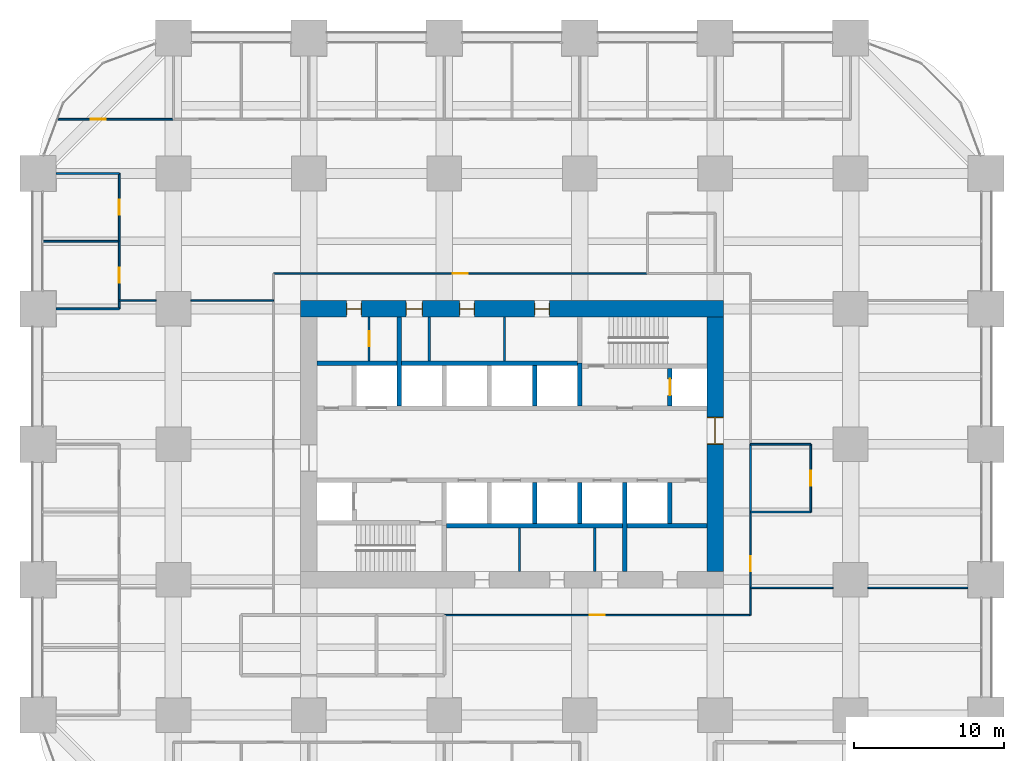
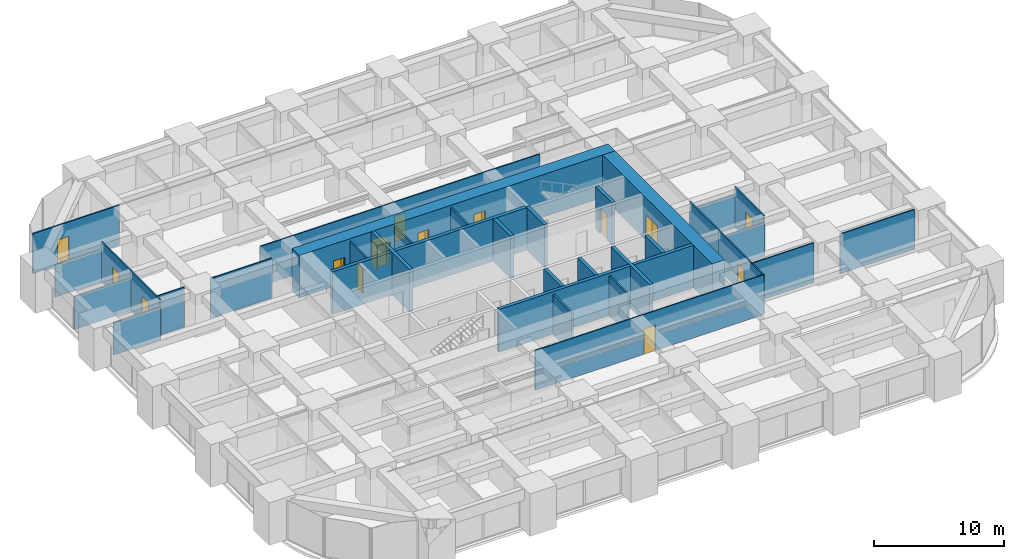
# One storey, part 41 of 44: 34 walls, 14 doors, 14 openings.
"""IFC4 building model written with IfcOpenShell, lengths in metres."""

from ifc_helpers import new_model, si_unit, direction, frame, frame_2d, origin, place, context, subcontext, project, spatial, rectangle, extrude, material, layer, layer_set, type_object, element, fill, save


model = new_model("IFC4")

# Units and contexts
model_context = context("Model", 3, precision=1e-05, world=origin(), true_north=direction((0.0, 1.0)))
body_context = subcontext(model_context, "Body", "Model", "MODEL_VIEW")
ifc_project = project(units=[si_unit("LENGTHUNIT", "METRE"), si_unit("AREAUNIT", "SQUARE_METRE"), si_unit("VOLUMEUNIT", "CUBIC_METRE"), si_unit("PLANEANGLEUNIT", "RADIAN"), si_unit("MASSUNIT", "GRAM", prefix="KILO")], contexts=[model_context])

# Site, building, storey
site_placement = place(None, origin())
site = spatial("IfcSite", under=ifc_project, at=site_placement, CompositionType="ELEMENT")
building_placement = place(site_placement, origin())
building = spatial("IfcBuilding", under=site, at=building_placement, Name="Zorevar Civic Tower", CompositionType="ELEMENT")
storey_placement = place(building_placement, frame((0.0, 0.0, 35.800048828125)))
storey = spatial("IfcBuildingStorey", under=building, at=storey_placement, Name="L08", CompositionType="ELEMENT", Elevation=35.800048828125)

# Wall, openings, doors
ifc_material_1 = material(Name="Concrete C50/60", Category="concrete")
ifc_layer_1 = layer(ifc_material_1, 1.10009765625)
ifc_layer_set_1 = layer_set([ifc_layer_1], Name="Core wall 1100")
wall_type_1 = type_object("IfcWallType", Name="Core wall 1100", PredefinedType="SHEAR", material=ifc_layer_set_1)
wall_1_placement = place(storey_placement, frame((45.550048828125, 36.0, 0.0), z_axis=(0.0, 0.0, 1.0), x_axis=(-1.0, 0.0, 0.0)))
wall_1 = element("IfcWall", 1, at=wall_1_placement, inside=storey, type_object=wall_type_1, Name="Core wall N L08", PredefinedType="SHEAR", context=body_context, shape_type="SweptSolid", body=[
    extrude(rectangle(XDim=28.10009765625, YDim=1.10009765625, at=frame_2d((14.050048828125, 0.0))), origin(), (0.0, 0.0, 1.0), 4.0),
])
opening_1_placement = place(wall_1_placement, frame((11.550048828125, 0.0, 0.0)))
opening_1 = element("IfcOpeningElement", 2, at=opening_1_placement, cuts=wall_1, Name="Opening L08.07", PredefinedType="OPENING", context=body_context, shape_type="SweptSolid", body=[
    extrude(rectangle(XDim=1.0, YDim=2.39990234375, at=frame_2d((0.5, 1.199951171875))), frame((0.0, 0.56005859375, 0.0), z_axis=(0.0, -1.0, 0.0), x_axis=(1.0, 0.0, 0.0)), (0.0, 0.0, 1.0), 1.1201171875),
])
opening_2_placement = place(wall_1_placement, frame((16.550048828125, 0.0, 0.0)))
opening_2 = element("IfcOpeningElement", 3, at=opening_2_placement, cuts=wall_1, Name="Opening L08.08", PredefinedType="OPENING", context=body_context, shape_type="SweptSolid", body=[
    extrude(rectangle(XDim=1.0, YDim=2.39990234375, at=frame_2d((0.5, 1.199951171875))), frame((0.0, 0.56005859375, 0.0), z_axis=(0.0, -1.0, 0.0), x_axis=(1.0, 0.0, 0.0)), (0.0, 0.0, 1.0), 1.1201171875),
])
opening_3_placement = place(wall_1_placement, frame((20.0, 0.0, 0.0)))
opening_3 = element("IfcOpeningElement", 4, at=opening_3_placement, cuts=wall_1, Name="Opening L08.09", PredefinedType="OPENING", context=body_context, shape_type="SweptSolid", body=[
    extrude(rectangle(XDim=1.10009765625, YDim=2.39990234375, at=frame_2d((0.550048828125, 1.199951171875))), frame((0.0, 0.56005859375, 0.0), z_axis=(0.0, -1.0, 0.0), x_axis=(1.0, 0.0, 0.0)), (0.0, 0.0, 1.0), 1.1201171875),
])
opening_4_placement = place(wall_1_placement, frame((24.050048828125, 0.0, 0.0)))
opening_4 = element("IfcOpeningElement", 5, at=opening_4_placement, cuts=wall_1, Name="Opening L08.10", PredefinedType="OPENING", context=body_context, shape_type="SweptSolid", body=[
    extrude(rectangle(XDim=1.0, YDim=2.39990234375, at=frame_2d((0.5, 1.199951171875))), frame((0.0, 0.56005859375, 0.0), z_axis=(0.0, -1.0, 0.0), x_axis=(1.0, 0.0, 0.0)), (0.0, 0.0, 1.0), 1.1201171875),
])
ifc_material_2 = material(Name="Timber door set", Category="wood")
door_type_1 = type_object("IfcDoorType", Name="Door D1 1000x2400", OperationType="SINGLE_SWING_LEFT", PredefinedType="DOOR", material=ifc_material_2)
door_1_placement = place(opening_1_placement, origin())
door_1 = element("IfcDoor", 6, at=door_1_placement, inside=storey, type_object=door_type_1, Name="Door L08 06", OperationType="SINGLE_SWING_RIGHT", OverallHeight=2.39990234375, OverallWidth=1.0, PredefinedType="DOOR", context=body_context, shape_type="SweptSolid", body=[
    extrude(rectangle(XDim=1.0, YDim=2.39990234375, at=frame_2d((0.5, 1.199951171875))), frame((0.0, 0.02490234375, 0.0), z_axis=(0.0, -1.0, 0.0), x_axis=(1.0, 0.0, 0.0)), (0.0, 0.0, 1.0), 0.050048828125),
    extrude(rectangle(XDim=0.04, YDim=2.39990234375, at=frame_2d((0.02001953125, 1.199951171875))), frame((0.0, 0.39990234375, 0.0), z_axis=(0.0, -1.0, 0.0), x_axis=(1.0, 0.0, 0.0)), (0.0, 0.0, 1.0), 0.800048828125),
    extrude(rectangle(XDim=0.04, YDim=2.39990234375, at=frame_2d((0.97998046875, 1.199951171875))), frame((0.0, 0.39990234375, 0.0), z_axis=(0.0, -1.0, 0.0), x_axis=(1.0, 0.0, 0.0)), (0.0, 0.0, 1.0), 0.800048828125),
    extrude(rectangle(XDim=1.0, YDim=0.04, at=frame_2d((0.5, 2.3798828125))), frame((0.0, 0.39990234375, 0.0), z_axis=(0.0, -1.0, 0.0), x_axis=(1.0, 0.0, 0.0)), (0.0, 0.0, 1.0), 0.800048828125),
])
fill(opening_1, door_1)
door_2_placement = place(opening_2_placement, origin())
door_2 = element("IfcDoor", 7, at=door_2_placement, inside=storey, type_object=door_type_1, Name="Door L08 07", OperationType="SINGLE_SWING_LEFT", OverallHeight=2.39990234375, OverallWidth=1.0, PredefinedType="DOOR", context=body_context, shape_type="SweptSolid", body=[
    extrude(rectangle(XDim=1.0, YDim=2.39990234375, at=frame_2d((0.5, 1.199951171875))), frame((0.0, 0.02490234375, 0.0), z_axis=(0.0, -1.0, 0.0), x_axis=(1.0, 0.0, 0.0)), (0.0, 0.0, 1.0), 0.050048828125),
    extrude(rectangle(XDim=0.04, YDim=2.39990234375, at=frame_2d((0.02001953125, 1.199951171875))), frame((0.0, 0.39990234375, 0.0), z_axis=(0.0, -1.0, 0.0), x_axis=(1.0, 0.0, 0.0)), (0.0, 0.0, 1.0), 0.800048828125),
    extrude(rectangle(XDim=0.04, YDim=2.39990234375, at=frame_2d((0.97998046875, 1.199951171875))), frame((0.0, 0.39990234375, 0.0), z_axis=(0.0, -1.0, 0.0), x_axis=(1.0, 0.0, 0.0)), (0.0, 0.0, 1.0), 0.800048828125),
    extrude(rectangle(XDim=1.0, YDim=0.04, at=frame_2d((0.5, 2.3798828125))), frame((0.0, 0.39990234375, 0.0), z_axis=(0.0, -1.0, 0.0), x_axis=(1.0, 0.0, 0.0)), (0.0, 0.0, 1.0), 0.800048828125),
])
fill(opening_2, door_2)
door_3_placement = place(opening_4_placement, origin())
door_3 = element("IfcDoor", 8, at=door_3_placement, inside=storey, type_object=door_type_1, Name="Door L08 09", OperationType="SINGLE_SWING_LEFT", OverallHeight=2.39990234375, OverallWidth=1.0, PredefinedType="DOOR", context=body_context, shape_type="SweptSolid", body=[
    extrude(rectangle(XDim=1.0, YDim=2.39990234375, at=frame_2d((0.5, 1.199951171875))), frame((0.0, 0.02490234375, 0.0), z_axis=(0.0, -1.0, 0.0), x_axis=(1.0, 0.0, 0.0)), (0.0, 0.0, 1.0), 0.050048828125),
    extrude(rectangle(XDim=0.04, YDim=2.39990234375, at=frame_2d((0.02001953125, 1.199951171875))), frame((0.0, 0.39990234375, 0.0), z_axis=(0.0, -1.0, 0.0), x_axis=(1.0, 0.0, 0.0)), (0.0, 0.0, 1.0), 0.800048828125),
    extrude(rectangle(XDim=0.04, YDim=2.39990234375, at=frame_2d((0.97998046875, 1.199951171875))), frame((0.0, 0.39990234375, 0.0), z_axis=(0.0, -1.0, 0.0), x_axis=(1.0, 0.0, 0.0)), (0.0, 0.0, 1.0), 0.800048828125),
    extrude(rectangle(XDim=1.0, YDim=0.04, at=frame_2d((0.5, 2.3798828125))), frame((0.0, 0.39990234375, 0.0), z_axis=(0.0, -1.0, 0.0), x_axis=(1.0, 0.0, 0.0)), (0.0, 0.0, 1.0), 0.800048828125),
])
fill(opening_4, door_3)
ifc_material_3 = material(Name="Timber door set", Category="wood")
door_type_2 = type_object("IfcDoorType", Name="Door D5 1100x2400", OperationType="SINGLE_SWING_LEFT", PredefinedType="DOOR", material=ifc_material_3)
door_4_placement = place(opening_3_placement, origin())
door_4 = element("IfcDoor", 9, at=door_4_placement, inside=storey, type_object=door_type_2, Name="Door L08 08", OperationType="SINGLE_SWING_LEFT", OverallHeight=2.39990234375, OverallWidth=1.10009765625, PredefinedType="DOOR", context=body_context, shape_type="SweptSolid", body=[
    extrude(rectangle(XDim=1.10009765625, YDim=2.39990234375, at=frame_2d((0.550048828125, 1.199951171875))), frame((0.0, 0.02490234375, 0.0), z_axis=(0.0, -1.0, 0.0), x_axis=(1.0, 0.0, 0.0)), (0.0, 0.0, 1.0), 0.050048828125),
    extrude(rectangle(XDim=0.04, YDim=2.39990234375, at=frame_2d((0.02001953125, 1.199951171875))), frame((0.0, 0.43994140625, 0.0), z_axis=(0.0, -1.0, 0.0), x_axis=(1.0, 0.0, 0.0)), (0.0, 0.0, 1.0), 0.880126953125),
    extrude(rectangle(XDim=0.04, YDim=2.39990234375, at=frame_2d((1.080078125, 1.199951171875))), frame((0.0, 0.43994140625, 0.0), z_axis=(0.0, -1.0, 0.0), x_axis=(1.0, 0.0, 0.0)), (0.0, 0.0, 1.0), 0.880126953125),
    extrude(rectangle(XDim=1.10009765625, YDim=0.04, at=frame_2d((0.550048828125, 2.3798828125))), frame((0.0, 0.43994140625, 0.0), z_axis=(0.0, -1.0, 0.0), x_axis=(1.0, 0.0, 0.0)), (0.0, 0.0, 1.0), 0.880126953125),
])
fill(opening_3, door_4)

# Wall, opening, door
wall_2_placement = place(storey_placement, frame((45.0, 18.550048828125, 0.0), z_axis=(0.0, 0.0, 1.0), x_axis=(0.0, 1.0, 0.0)))
wall_2 = element("IfcWall", 10, at=wall_2_placement, inside=storey, type_object=wall_type_1, Name="Core wall E L08", PredefinedType="SHEAR", context=body_context, shape_type="SweptSolid", body=[
    extrude(rectangle(XDim=16.89990234375, YDim=1.10009765625, at=frame_2d((8.449951171875, 0.0))), origin(), (0.0, 0.0, 1.0), 4.0),
])
opening_5_placement = place(wall_2_placement, frame((8.449951171875, 0.0, 0.0)))
opening_5 = element("IfcOpeningElement", 11, at=opening_5_placement, cuts=wall_2, Name="Opening L08.02", PredefinedType="OPENING", context=body_context, shape_type="SweptSolid", body=[
    extrude(rectangle(XDim=1.800048828125, YDim=2.39990234375, at=frame_2d((0.89990234375, 1.199951171875))), frame((0.0, 0.56005859375, 0.0), z_axis=(0.0, -1.0, 0.0), x_axis=(1.0, 0.0, 0.0)), (0.0, 0.0, 1.0), 1.1201171875),
])
ifc_material_4 = material(Name="Steel door set", Category="steel")
door_type_3 = type_object("IfcDoorType", Name="Fire door FD2 1800x2400", OperationType="DOUBLE_DOOR_DOUBLE_SWING", PredefinedType="DOOR", material=ifc_material_4)
door_5_placement = place(opening_5_placement, origin())
door_5 = element("IfcDoor", 12, at=door_5_placement, inside=storey, type_object=door_type_3, Name="Door L08 01", OperationType="DOUBLE_DOOR_DOUBLE_SWING", OverallHeight=2.39990234375, OverallWidth=1.800048828125, PredefinedType="DOOR", context=body_context, shape_type="SweptSolid", body=[
    extrude(rectangle(XDim=1.800048828125, YDim=2.39990234375, at=frame_2d((0.89990234375, 1.199951171875))), frame((0.0, 0.030029296875, 0.0), z_axis=(0.0, -1.0, 0.0), x_axis=(1.0, 0.0, 0.0)), (0.0, 0.0, 1.0), 0.06005859375),
    extrude(rectangle(XDim=0.04, YDim=2.39990234375, at=frame_2d((0.02001953125, 1.199951171875))), frame((0.0, 0.5498046875, 0.0), z_axis=(0.0, -1.0, 0.0), x_axis=(1.0, 0.0, 0.0)), (0.0, 0.0, 1.0), 1.099609375),
    extrude(rectangle(XDim=0.04, YDim=2.39990234375, at=frame_2d((1.780029296875, 1.199951171875))), frame((0.0, 0.5498046875, 0.0), z_axis=(0.0, -1.0, 0.0), x_axis=(1.0, 0.0, 0.0)), (0.0, 0.0, 1.0), 1.099609375),
    extrude(rectangle(XDim=1.800048828125, YDim=0.04, at=frame_2d((0.89990234375, 2.3798828125))), frame((0.0, 0.5498046875, 0.0), z_axis=(0.0, -1.0, 0.0), x_axis=(1.0, 0.0, 0.0)), (0.0, 0.0, 1.0), 1.099609375),
])
fill(opening_5, door_5)

ifc_material_5 = material(Name="Laminated glass in black aluminium frame", Category="aluminium")
ifc_layer_2 = layer(ifc_material_5, 0.10009765625)
ifc_layer_set_2 = layer_set([ifc_layer_2], Name="Glazed partition 100")
wall_type_2 = type_object("IfcWallType", Name="Glazed partition 100", PredefinedType="PARTITIONING", material=ifc_layer_set_2)
wall_3_placement = place(storey_placement, frame((27.0, 15.64990234375, 0.0), z_axis=(0.0, 0.0, 1.0), x_axis=(1.0, 0.0, 0.0)))
wall_3 = element("IfcWall", 13, at=wall_3_placement, inside=storey, type_object=wall_type_2, Name="Glazed partition 100 L08", PredefinedType="PARTITIONING", context=body_context, shape_type="SweptSolid", body=[
    extrude(rectangle(XDim=20.35009765625, YDim=0.10009765625, at=frame_2d((10.175048828125, 0.0))), origin(), (0.0, 0.0, 1.0), 3.75),
])
opening_6_placement = place(wall_3_placement, frame((9.675048828125, 0.0, 0.0)))
opening_6 = element("IfcOpeningElement", 14, at=opening_6_placement, cuts=wall_3, Name="Opening L08.26", PredefinedType="OPENING", context=body_context, shape_type="SweptSolid", body=[
    extrude(rectangle(XDim=1.0, YDim=2.39990234375, at=frame_2d((0.5, 1.199951171875))), frame((0.0, 0.06005859375, 0.0), z_axis=(0.0, -1.0, 0.0), x_axis=(1.0, 0.0, 0.0)), (0.0, 0.0, 1.0), 0.1201171875),
])
ifc_material_6 = material(Name="Timber door set", Category="wood")
door_type_4 = type_object("IfcDoorType", Name="Glazed door GD1 1000x2400", OperationType="SINGLE_SWING_LEFT", PredefinedType="DOOR", material=ifc_material_6)
door_6_placement = place(opening_6_placement, origin())
door_6 = element("IfcDoor", 15, at=door_6_placement, inside=storey, type_object=door_type_4, Name="Door L08 D1", OperationType="SINGLE_SWING_LEFT", OverallHeight=2.39990234375, OverallWidth=1.0, PredefinedType="DOOR", context=body_context, shape_type="SweptSolid", body=[
    extrude(rectangle(XDim=1.0, YDim=2.39990234375, at=frame_2d((0.5, 1.199951171875))), frame((0.0, 0.02001953125, 0.0), z_axis=(0.0, -1.0, 0.0), x_axis=(1.0, 0.0, 0.0)), (0.0, 0.0, 1.0), 0.0400390625),
])
fill(opening_6, door_6)

# Walls
wall_4_placement = place(storey_placement, frame((47.35009765625, 17.449951171875, 0.0), z_axis=(0.0, 0.0, 1.0), x_axis=(1.0, 0.0, 0.0)))
element("IfcWall", 16, at=wall_4_placement, inside=storey, type_object=wall_type_2, Name="Glazed partition 100 L08", PredefinedType="PARTITIONING", context=body_context, shape_type="SweptSolid", body=[
    extrude(rectangle(XDim=5.5, YDim=0.10009765625, at=frame_2d((2.75, 0.0))), origin(), (0.0, 0.0, 1.0), 3.75),
])
wall_5_placement = place(storey_placement, frame((55.14990234375, 17.449951171875, 0.0), z_axis=(0.0, 0.0, 1.0), x_axis=(1.0, 0.0, 0.0)))
element("IfcWall", 17, at=wall_5_placement, inside=storey, type_object=wall_type_2, Name="Glazed partition 100 L08", PredefinedType="PARTITIONING", context=body_context, shape_type="SweptSolid", body=[
    extrude(rectangle(XDim=6.650146484375, YDim=0.10009765625, at=frame_2d((3.3251953125, 0.0))), origin(), (0.0, 0.0, 1.0), 3.75),
])
wall_6_placement = place(storey_placement, frame((5.389892578125, 36.550048828125, 0.0), z_axis=(0.0, 0.0, 1.0), x_axis=(1.0, 0.0, 0.0)))
element("IfcWall", 18, at=wall_6_placement, inside=storey, type_object=wall_type_2, Name="Glazed partition 100 L08", PredefinedType="PARTITIONING", context=body_context, shape_type="SweptSolid", body=[
    extrude(rectangle(XDim=2.460205078125, YDim=0.10009765625, at=frame_2d((1.22998046875, 0.0))), origin(), (0.0, 0.0, 1.0), 3.75),
])
wall_7_placement = place(storey_placement, frame((10.14990234375, 36.550048828125, 0.0), z_axis=(0.0, 0.0, 1.0), x_axis=(1.0, 0.0, 0.0)))
element("IfcWall", 19, at=wall_7_placement, inside=storey, type_object=wall_type_2, Name="Glazed partition 100 L08", PredefinedType="PARTITIONING", context=body_context, shape_type="SweptSolid", body=[
    extrude(rectangle(XDim=5.5, YDim=0.10009765625, at=frame_2d((2.75, 0.0))), origin(), (0.0, 0.0, 1.0), 3.75),
])

# Wall, opening, door
wall_8_placement = place(storey_placement, frame((15.64990234375, 38.35009765625, 0.0), z_axis=(0.0, 0.0, 1.0), x_axis=(1.0, 0.0, 0.0)))
wall_8 = element("IfcWall", 20, at=wall_8_placement, inside=storey, type_object=wall_type_2, Name="Glazed partition 100 L08", PredefinedType="PARTITIONING", context=body_context, shape_type="SweptSolid", body=[
    extrude(rectangle(XDim=24.85009765625, YDim=0.10009765625, at=frame_2d((12.425048828125, 0.0))), origin(), (0.0, 0.0, 1.0), 3.75),
])
opening_7_placement = place(wall_8_placement, frame((11.925048828125, 0.0, 0.0)))
opening_7 = element("IfcOpeningElement", 21, at=opening_7_placement, cuts=wall_8, Name="Opening L08.27", PredefinedType="OPENING", context=body_context, shape_type="SweptSolid", body=[
    extrude(rectangle(XDim=1.0, YDim=2.39990234375, at=frame_2d((0.5, 1.199951171875))), frame((0.0, 0.06005859375, 0.0), z_axis=(0.0, -1.0, 0.0), x_axis=(1.0, 0.0, 0.0)), (0.0, 0.0, 1.0), 0.1201171875),
])
door_7_placement = place(opening_7_placement, origin())
door_7 = element("IfcDoor", 22, at=door_7_placement, inside=storey, type_object=door_type_4, Name="Door L08 D1", OperationType="SINGLE_SWING_LEFT", OverallHeight=2.39990234375, OverallWidth=1.0, PredefinedType="DOOR", context=body_context, shape_type="SweptSolid", body=[
    extrude(rectangle(XDim=1.0, YDim=2.39990234375, at=frame_2d((0.5, 1.199951171875))), frame((0.0, 0.02001953125, 0.0), z_axis=(0.0, -1.0, 0.0), x_axis=(1.0, 0.0, 0.0)), (0.0, 0.0, 1.0), 0.0400390625),
])
fill(opening_7, door_7)

wall_9_placement = place(storey_placement, frame((47.35009765625, 15.64990234375, 0.0), z_axis=(0.0, 0.0, 1.0), x_axis=(0.0, 1.0, 0.0)))
wall_9 = element("IfcWall", 23, at=wall_9_placement, inside=storey, type_object=wall_type_2, Name="Glazed partition 100 L08", PredefinedType="PARTITIONING", context=body_context, shape_type="SweptSolid", body=[
    extrude(rectangle(XDim=6.85009765625, YDim=0.10009765625, at=frame_2d((3.425048828125, 0.0))), origin(), (0.0, 0.0, 1.0), 3.75),
])
opening_8_placement = place(wall_9_placement, frame((2.925048828125, 0.0, 0.0)))
opening_8 = element("IfcOpeningElement", 24, at=opening_8_placement, cuts=wall_9, Name="Opening L08.47", PredefinedType="OPENING", context=body_context, shape_type="SweptSolid", body=[
    extrude(rectangle(XDim=1.0, YDim=2.39990234375, at=frame_2d((0.5, 1.199951171875))), frame((0.0, 0.06005859375, 0.0), z_axis=(0.0, -1.0, 0.0), x_axis=(1.0, 0.0, 0.0)), (0.0, 0.0, 1.0), 0.1201171875),
])
door_8_placement = place(opening_8_placement, origin())
door_8 = element("IfcDoor", 25, at=door_8_placement, inside=storey, type_object=door_type_4, Name="Door L08 D1", OperationType="SINGLE_SWING_LEFT", OverallHeight=2.39990234375, OverallWidth=1.0, PredefinedType="DOOR", context=body_context, shape_type="SweptSolid", body=[
    extrude(rectangle(XDim=1.0, YDim=2.39990234375, at=frame_2d((0.5, 1.199951171875))), frame((0.0, 0.02001953125, 0.0), z_axis=(0.0, -1.0, 0.0), x_axis=(1.0, 0.0, 0.0)), (0.0, 0.0, 1.0), 0.0400390625),
])
fill(opening_8, door_8)

ifc_material_7 = material(Name="Concrete C40/50", Category="concrete")
ifc_layer_3 = layer(ifc_material_7, 0.300048828125)
ifc_layer_set_3 = layer_set([ifc_layer_3], Name="Inner core wall 300")
wall_type_3 = type_object("IfcWallType", Name="Inner core wall 300", PredefinedType="SHEAR", material=ifc_layer_set_3)
wall_10_placement = place(storey_placement, frame((42.0, 29.550048828125, 0.0), z_axis=(0.0, 0.0, 1.0), x_axis=(0.0, 1.0, 0.0)))
wall_10 = element("IfcWall", 26, at=wall_10_placement, inside=storey, type_object=wall_type_3, Name="Inner core wall N02 L08", PredefinedType="SHEAR", context=body_context, shape_type="SweptSolid", body=[
    extrude(rectangle(XDim=2.5, YDim=0.300048828125, at=frame_2d((1.25, 0.0))), origin(), (0.0, 0.0, 1.0), 4.0),
])
opening_9_placement = place(wall_10_placement, frame((0.699951171875, 0.0, 0.0)))
opening_9 = element("IfcOpeningElement", 27, at=opening_9_placement, cuts=wall_10, Name="Opening L08.FL2", PredefinedType="OPENING", context=body_context, shape_type="SweptSolid", body=[
    extrude(rectangle(XDim=1.10009765625, YDim=2.39990234375, at=frame_2d((0.550048828125, 1.199951171875))), frame((0.0, 0.159912109375, 0.0), z_axis=(0.0, -1.0, 0.0), x_axis=(1.0, 0.0, 0.0)), (0.0, 0.0, 1.0), 0.320068359375),
])
ifc_material_8 = material(Name="Steel door set", Category="steel")
door_type_5 = type_object("IfcDoorType", Name="Firefighting lift landing door LD3 1100x2400", OperationType="DOUBLE_DOOR_SLIDING", PredefinedType="DOOR", material=ifc_material_8)
door_9_placement = place(opening_9_placement, origin())
door_9 = element("IfcDoor", 28, at=door_9_placement, inside=storey, type_object=door_type_5, Name="Landing door FL2 L08", OperationType="DOUBLE_DOOR_SLIDING", OverallHeight=2.39990234375, OverallWidth=1.10009765625, PredefinedType="DOOR", context=body_context, shape_type="SweptSolid", body=[
    extrude(rectangle(XDim=1.10009765625, YDim=2.39990234375, at=frame_2d((0.550048828125, 1.199951171875))), frame((0.0, 0.030029296875, 0.0), z_axis=(0.0, -1.0, 0.0), x_axis=(1.0, 0.0, 0.0)), (0.0, 0.0, 1.0), 0.06005859375),
])
fill(opening_9, door_9)

# Walls
for number, where, z_axis, x_axis, name in (
    (29, (27.14990234375, 21.60009765625, 0.0), (0.0, 0.0, 1.0), (1.0, 0.0, 0.0), "Inner core wall S04 L08"),
    (30, (18.550048828125, 32.39990234375, 0.0), (0.0, 0.0, 1.0), (1.0, 0.0, 0.0), "Inner core wall N04 L08"),
):
    element("IfcWall", number, at=place(storey_placement, frame(where, z_axis=z_axis, x_axis=x_axis)), inside=storey, type_object=wall_type_3, Name=name, PredefinedType="SHEAR", context=body_context, shape_type="SweptSolid", body=[
        extrude(rectangle(XDim=17.300048828125, YDim=0.300048828125, at=frame_2d((8.64990234375, 0.0))), origin(), (0.0, 0.0, 1.0), 4.0),
    ])
for number, where, z_axis, x_axis, name in (
    (31, (33.0, 29.550048828125, 0.0), (0.0, 0.0, 1.0), (0.0, 1.0, 0.0), "Inner core wall N05 L08"),
    (32, (33.0, 21.75, 0.0), (0.0, 0.0, 1.0), (0.0, 1.0, 0.0), "Inner core wall S06 L08"),
    (33, (36.0, 21.75, 0.0), (0.0, 0.0, 1.0), (0.0, 1.0, 0.0), "Inner core wall S07 L08"),
):
    element("IfcWall", number, at=place(storey_placement, frame(where, z_axis=z_axis, x_axis=x_axis)), inside=storey, type_object=wall_type_3, Name=name, PredefinedType="SHEAR", context=body_context, shape_type="SweptSolid", body=[
        extrude(rectangle(XDim=2.699951171875, YDim=0.300048828125, at=frame_2d((1.35009765625, 0.0))), origin(), (0.0, 0.0, 1.0), 4.0),
    ])
for number, where, z_axis, x_axis, name in (
    (34, (39.0, 18.550048828125, 0.0), (0.0, 0.0, 1.0), (0.0, 1.0, 0.0), "Inner core wall S08 L08"),
    (35, (24.0, 29.550048828125, 0.0), (0.0, 0.0, 1.0), (0.0, 1.0, 0.0), "Inner core wall N08 L08"),
):
    element("IfcWall", number, at=place(storey_placement, frame(where, z_axis=z_axis, x_axis=x_axis)), inside=storey, type_object=wall_type_3, Name=name, PredefinedType="SHEAR", context=body_context, shape_type="SweptSolid", body=[
        extrude(rectangle(XDim=5.89990234375, YDim=0.300048828125, at=frame_2d((2.949951171875, 0.0))), origin(), (0.0, 0.0, 1.0), 4.0),
    ])
wall_11_placement = place(storey_placement, frame((42.0, 21.75, 0.0), z_axis=(0.0, 0.0, 1.0), x_axis=(0.0, 1.0, 0.0)))
element("IfcWall", 36, at=wall_11_placement, inside=storey, type_object=wall_type_3, Name="Inner core wall S09 L08", PredefinedType="SHEAR", context=body_context, shape_type="SweptSolid", body=[
    extrude(rectangle(XDim=2.699951171875, YDim=0.300048828125, at=frame_2d((1.35009765625, 0.0))), origin(), (0.0, 0.0, 1.0), 4.0),
])
wall_12_placement = place(storey_placement, frame((36.0, 29.550048828125, 0.0), z_axis=(0.0, 0.0, 1.0), x_axis=(0.0, 1.0, 0.0)))
element("IfcWall", 37, at=wall_12_placement, inside=storey, type_object=wall_type_3, Name="Inner core wall N10 L08", PredefinedType="SHEAR", context=body_context, shape_type="SweptSolid", body=[
    extrude(rectangle(XDim=2.849853515625, YDim=0.300048828125, at=frame_2d((1.4248046875, 0.0))), origin(), (0.0, 0.0, 1.0), 4.0),
])
ifc_material_9 = material(Name="Gypsum board on steel studs", Category="steel")
ifc_layer_4 = layer(ifc_material_9, 0.1201171875)
ifc_layer_set_4 = layer_set([ifc_layer_4], Name="Partition 120")
wall_type_4 = type_object("IfcWallType", Name="Partition 120", PredefinedType="PARTITIONING", material=ifc_layer_set_4)
wall_13_placement = place(storey_placement, frame((47.35009765625, 22.5, 0.0), z_axis=(0.0, 0.0, 1.0), x_axis=(1.0, 0.0, 0.0)))
element("IfcWall", 38, at=wall_13_placement, inside=storey, type_object=wall_type_4, Name="Partition 120 L08", PredefinedType="PARTITIONING", context=body_context, shape_type="SweptSolid", body=[
    extrude(rectangle(XDim=4.0, YDim=0.1201171875, at=frame_2d((2.0, 0.0))), origin(), (0.0, 0.0, 1.0), 3.099853515625),
])
wall_14_placement = place(storey_placement, frame((47.35009765625, 27.0, 0.0), z_axis=(0.0, 0.0, 1.0), x_axis=(1.0, 0.0, 0.0)))
element("IfcWall", 39, at=wall_14_placement, inside=storey, type_object=wall_type_4, Name="Partition 120 L08", PredefinedType="PARTITIONING", context=body_context, shape_type="SweptSolid", body=[
    extrude(rectangle(XDim=4.0, YDim=0.1201171875, at=frame_2d((2.0, 0.0))), origin(), (0.0, 0.0, 1.0), 3.050048828125),
])
wall_15_placement = place(storey_placement, frame((1.199951171875, 36.0, 0.0), z_axis=(0.0, 0.0, 1.0), x_axis=(1.0, 0.0, 0.0)))
element("IfcWall", 40, at=wall_15_placement, inside=storey, type_object=wall_type_4, Name="Partition 120 L08", PredefinedType="PARTITIONING", context=body_context, shape_type="SweptSolid", body=[
    extrude(rectangle(XDim=4.199951171875, YDim=0.1201171875, at=frame_2d((2.10009765625, 0.0))), origin(), (0.0, 0.0, 1.0), 3.050048828125),
])
wall_16_placement = place(storey_placement, frame((0.31005859375, 40.5, 0.0), z_axis=(0.0, 0.0, 1.0), x_axis=(1.0, 0.0, 0.0)))
element("IfcWall", 41, at=wall_16_placement, inside=storey, type_object=wall_type_4, Name="Partition 120 L08", PredefinedType="PARTITIONING", context=body_context, shape_type="SweptSolid", body=[
    extrude(rectangle(XDim=5.08984375, YDim=0.1201171875, at=frame_2d((2.544921875, 0.0))), origin(), (0.0, 0.0, 1.0), 3.099853515625),
])
wall_17_placement = place(storey_placement, frame((1.199951171875, 45.0, 0.0), z_axis=(0.0, 0.0, 1.0), x_axis=(1.0, 0.0, 0.0)))
element("IfcWall", 42, at=wall_17_placement, inside=storey, type_object=wall_type_4, Name="Partition 120 L08", PredefinedType="PARTITIONING", context=body_context, shape_type="SweptSolid", body=[
    extrude(rectangle(XDim=4.199951171875, YDim=0.1201171875, at=frame_2d((2.10009765625, 0.0))), origin(), (0.0, 0.0, 1.0), 3.050048828125),
])

# Wall, opening, door
wall_18_placement = place(storey_placement, frame((1.3095703125, 48.60009765625, 0.0), z_axis=(0.0, 0.0, 1.0), x_axis=(1.0, 0.0, 0.0)))
wall_18 = element("IfcWall", 43, at=wall_18_placement, inside=storey, type_object=wall_type_4, Name="Partition 120 L08", PredefinedType="PARTITIONING", context=body_context, shape_type="SweptSolid", body=[
    extrude(rectangle(XDim=7.6904296875, YDim=0.1201171875, at=frame_2d((3.84521484375, 0.0))), origin(), (0.0, 0.0, 1.0), 3.75),
])
opening_10_placement = place(wall_18_placement, frame((2.1904296875, 0.0, 0.0)))
opening_10 = element("IfcOpeningElement", 44, at=opening_10_placement, cuts=wall_18, Name="Opening L08.39", PredefinedType="OPENING", context=body_context, shape_type="SweptSolid", body=[
    extrude(rectangle(XDim=1.0, YDim=2.39990234375, at=frame_2d((0.5, 1.199951171875))), frame((0.0, 0.070068359375, 0.0), z_axis=(0.0, -1.0, 0.0), x_axis=(1.0, 0.0, 0.0)), (0.0, 0.0, 1.0), 0.14013671875),
])
door_10_placement = place(opening_10_placement, origin())
door_10 = element("IfcDoor", 45, at=door_10_placement, inside=storey, type_object=door_type_1, Name="Door L08 D1", OperationType="SINGLE_SWING_LEFT", OverallHeight=2.39990234375, OverallWidth=1.0, PredefinedType="DOOR", context=body_context, shape_type="SweptSolid", body=[
    extrude(rectangle(XDim=1.0, YDim=2.39990234375, at=frame_2d((0.5, 1.199951171875))), frame((0.0, 0.02490234375, 0.0), z_axis=(0.0, -1.0, 0.0), x_axis=(1.0, 0.0, 0.0)), (0.0, 0.0, 1.0), 0.050048828125),
])
fill(opening_10, door_10)

wall_19_placement = place(storey_placement, frame((5.39990234375, 36.0, 0.0), z_axis=(0.0, 0.0, 1.0), x_axis=(0.0, 1.0, 0.0)))
wall_19 = element("IfcWall", 46, at=wall_19_placement, inside=storey, type_object=wall_type_4, Name="Partition 120 L08", PredefinedType="PARTITIONING", context=body_context, shape_type="SweptSolid", body=[
    extrude(rectangle(XDim=4.5, YDim=0.1201171875, at=frame_2d((2.25, 0.0))), origin(), (0.0, 0.0, 1.0), 3.75),
])
opening_11_placement = place(wall_19_placement, frame((1.75, 0.0, 0.0)))
opening_11 = element("IfcOpeningElement", 47, at=opening_11_placement, cuts=wall_19, Name="Opening L08.44", PredefinedType="OPENING", context=body_context, shape_type="SweptSolid", body=[
    extrude(rectangle(XDim=1.0, YDim=2.39990234375, at=frame_2d((0.5, 1.199951171875))), frame((0.0, 0.070068359375, 0.0), z_axis=(0.0, -1.0, 0.0), x_axis=(1.0, 0.0, 0.0)), (0.0, 0.0, 1.0), 0.14013671875),
])
door_11_placement = place(opening_11_placement, origin())
door_11 = element("IfcDoor", 48, at=door_11_placement, inside=storey, type_object=door_type_1, Name="Door L08 D1", OperationType="SINGLE_SWING_LEFT", OverallHeight=2.39990234375, OverallWidth=1.0, PredefinedType="DOOR", context=body_context, shape_type="SweptSolid", body=[
    extrude(rectangle(XDim=1.0, YDim=2.39990234375, at=frame_2d((0.5, 1.199951171875))), frame((0.0, 0.02490234375, 0.0), z_axis=(0.0, -1.0, 0.0), x_axis=(1.0, 0.0, 0.0)), (0.0, 0.0, 1.0), 0.050048828125),
])
fill(opening_11, door_11)

wall_20_placement = place(storey_placement, frame((5.39990234375, 40.5, 0.0), z_axis=(0.0, 0.0, 1.0), x_axis=(0.0, 1.0, 0.0)))
wall_20 = element("IfcWall", 49, at=wall_20_placement, inside=storey, type_object=wall_type_4, Name="Partition 120 L08", PredefinedType="PARTITIONING", context=body_context, shape_type="SweptSolid", body=[
    extrude(rectangle(XDim=4.5, YDim=0.1201171875, at=frame_2d((2.25, 0.0))), origin(), (0.0, 0.0, 1.0), 3.75),
])
opening_12_placement = place(wall_20_placement, frame((1.75, 0.0, 0.0)))
opening_12 = element("IfcOpeningElement", 50, at=opening_12_placement, cuts=wall_20, Name="Opening L08.45", PredefinedType="OPENING", context=body_context, shape_type="SweptSolid", body=[
    extrude(rectangle(XDim=1.0, YDim=2.39990234375, at=frame_2d((0.5, 1.199951171875))), frame((0.0, 0.070068359375, 0.0), z_axis=(0.0, -1.0, 0.0), x_axis=(1.0, 0.0, 0.0)), (0.0, 0.0, 1.0), 0.14013671875),
])
door_12_placement = place(opening_12_placement, origin())
door_12 = element("IfcDoor", 51, at=door_12_placement, inside=storey, type_object=door_type_1, Name="Door L08 D1", OperationType="SINGLE_SWING_RIGHT", OverallHeight=2.39990234375, OverallWidth=1.0, PredefinedType="DOOR", context=body_context, shape_type="SweptSolid", body=[
    extrude(rectangle(XDim=1.0, YDim=2.39990234375, at=frame_2d((0.5, 1.199951171875))), frame((0.0, 0.02490234375, 0.0), z_axis=(0.0, -1.0, 0.0), x_axis=(1.0, 0.0, 0.0)), (0.0, 0.0, 1.0), 0.050048828125),
])
fill(opening_12, door_12)

# Wall
wall_21_placement = place(storey_placement, frame((47.35009765625, 22.5, 0.0), z_axis=(0.0, 0.0, 1.0), x_axis=(0.0, 1.0, 0.0)))
element("IfcWall", 52, at=wall_21_placement, inside=storey, type_object=wall_type_4, Name="Partition 120 L08", PredefinedType="PARTITIONING", context=body_context, shape_type="SweptSolid", body=[
    extrude(rectangle(XDim=4.5, YDim=0.1201171875, at=frame_2d((2.25, 0.0))), origin(), (0.0, 0.0, 1.0), 3.75),
])

# Wall, opening, door
wall_22_placement = place(storey_placement, frame((51.35009765625, 22.5, 0.0), z_axis=(0.0, 0.0, 1.0), x_axis=(0.0, 1.0, 0.0)))
wall_22 = element("IfcWall", 53, at=wall_22_placement, inside=storey, type_object=wall_type_4, Name="Partition 120 L08", PredefinedType="PARTITIONING", context=body_context, shape_type="SweptSolid", body=[
    extrude(rectangle(XDim=4.5, YDim=0.1201171875, at=frame_2d((2.25, 0.0))), origin(), (0.0, 0.0, 1.0), 3.75),
])
opening_13_placement = place(wall_22_placement, frame((1.75, 0.0, 0.0)))
opening_13 = element("IfcOpeningElement", 54, at=opening_13_placement, cuts=wall_22, Name="Opening L08.48", PredefinedType="OPENING", context=body_context, shape_type="SweptSolid", body=[
    extrude(rectangle(XDim=1.0, YDim=2.39990234375, at=frame_2d((0.5, 1.199951171875))), frame((0.0, 0.070068359375, 0.0), z_axis=(0.0, -1.0, 0.0), x_axis=(1.0, 0.0, 0.0)), (0.0, 0.0, 1.0), 0.14013671875),
])
door_13_placement = place(opening_13_placement, origin())
door_13 = element("IfcDoor", 55, at=door_13_placement, inside=storey, type_object=door_type_1, Name="Door L08 D1", OperationType="SINGLE_SWING_LEFT", OverallHeight=2.39990234375, OverallWidth=1.0, PredefinedType="DOOR", context=body_context, shape_type="SweptSolid", body=[
    extrude(rectangle(XDim=1.0, YDim=2.39990234375, at=frame_2d((0.5, 1.199951171875))), frame((0.0, 0.02490234375, 0.0), z_axis=(0.0, -1.0, 0.0), x_axis=(1.0, 0.0, 0.0)), (0.0, 0.0, 1.0), 0.050048828125),
])
fill(opening_13, door_13)

wall_23_placement = place(storey_placement, frame((22.0, 32.550048828125, 0.0), z_axis=(0.0, 0.0, 1.0), x_axis=(0.0, 1.0, 0.0)))
wall_23 = element("IfcWall", 56, at=wall_23_placement, inside=storey, type_object=wall_type_4, Name="Partition L08", PredefinedType="PARTITIONING", context=body_context, shape_type="SweptSolid", body=[
    extrude(rectangle(XDim=2.89990234375, YDim=0.1201171875, at=frame_2d((1.449951171875, 0.0))), origin(), (0.0, 0.0, 1.0), 3.75),
])
opening_14_placement = place(wall_23_placement, frame((0.949951171875, 0.0, 0.0)))
opening_14 = element("IfcOpeningElement", 57, at=opening_14_placement, cuts=wall_23, Name="Opening L08.49", PredefinedType="OPENING", context=body_context, shape_type="SweptSolid", body=[
    extrude(rectangle(XDim=1.0, YDim=2.39990234375, at=frame_2d((0.5, 1.199951171875))), frame((0.0, 0.070068359375, 0.0), z_axis=(0.0, -1.0, 0.0), x_axis=(1.0, 0.0, 0.0)), (0.0, 0.0, 1.0), 0.14013671875),
])
ifc_material_10 = material(Name="Steel door set", Category="steel")
door_type_6 = type_object("IfcDoorType", Name="Fire door FD1 1000x2400", OperationType="SINGLE_SWING_LEFT", PredefinedType="DOOR", material=ifc_material_10)
door_14_placement = place(opening_14_placement, origin())
door_14 = element("IfcDoor", 58, at=door_14_placement, inside=storey, type_object=door_type_6, Name="Door L08 EN", OperationType="SINGLE_SWING_LEFT", OverallHeight=2.39990234375, OverallWidth=1.0, PredefinedType="DOOR", context=body_context, shape_type="SweptSolid", body=[
    extrude(rectangle(XDim=1.0, YDim=2.39990234375, at=frame_2d((0.5, 1.199951171875))), frame((0.0, 0.030029296875, 0.0), z_axis=(0.0, -1.0, 0.0), x_axis=(1.0, 0.0, 0.0)), (0.0, 0.0, 1.0), 0.06005859375),
])
fill(opening_14, door_14)

# Walls
ifc_material_11 = material(Name="Gypsum board on steel studs, moisture resistant", Category="steel")
ifc_layer_5 = layer(ifc_material_11, 0.14990234375)
ifc_layer_set_5 = layer_set([ifc_layer_5], Name="WC partition 150")
wall_type_5 = type_object("IfcWallType", Name="WC partition 150", PredefinedType="PARTITIONING", material=ifc_layer_set_5)
for number, where, z_axis, x_axis, name in (
    (59, (32.0, 18.550048828125, 0.0), (0.0, 0.0, 1.0), (0.0, 1.0, 0.0), "WC partition L08"),
    (60, (37.0, 18.550048828125, 0.0), (0.0, 0.0, 1.0), (0.0, 1.0, 0.0), "WC partition L08"),
    (61, (31.0, 32.550048828125, 0.0), (0.0, 0.0, 1.0), (0.0, 1.0, 0.0), "WC partition L08"),
    (62, (26.0, 32.550048828125, 0.0), (0.0, 0.0, 1.0), (0.0, 1.0, 0.0), "WC partition L08"),
):
    element("IfcWall", number, at=place(storey_placement, frame(where, z_axis=z_axis, x_axis=x_axis)), inside=storey, type_object=wall_type_5, Name=name, PredefinedType="PARTITIONING", context=body_context, shape_type="SweptSolid", body=[
        extrude(rectangle(XDim=2.89990234375, YDim=0.14990234375, at=frame_2d((1.449951171875, 0.0))), origin(), (0.0, 0.0, 1.0), 3.75),
    ])

save(model, "model.ifc")
